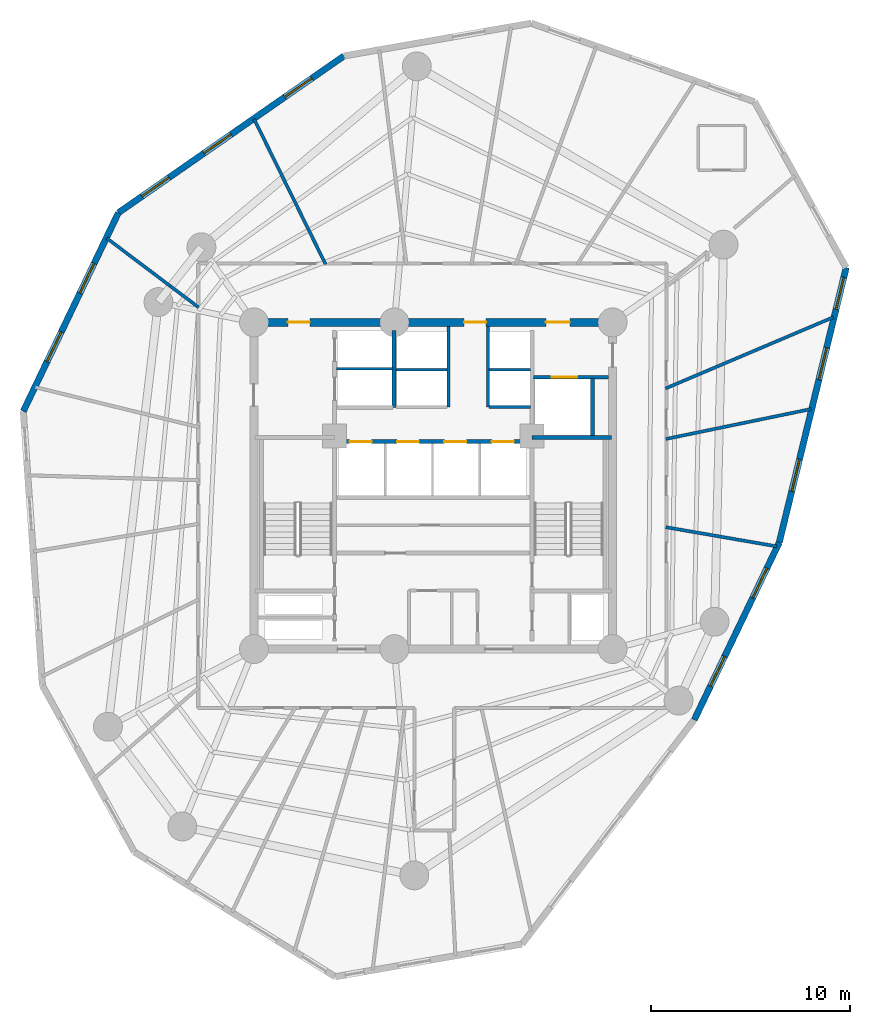
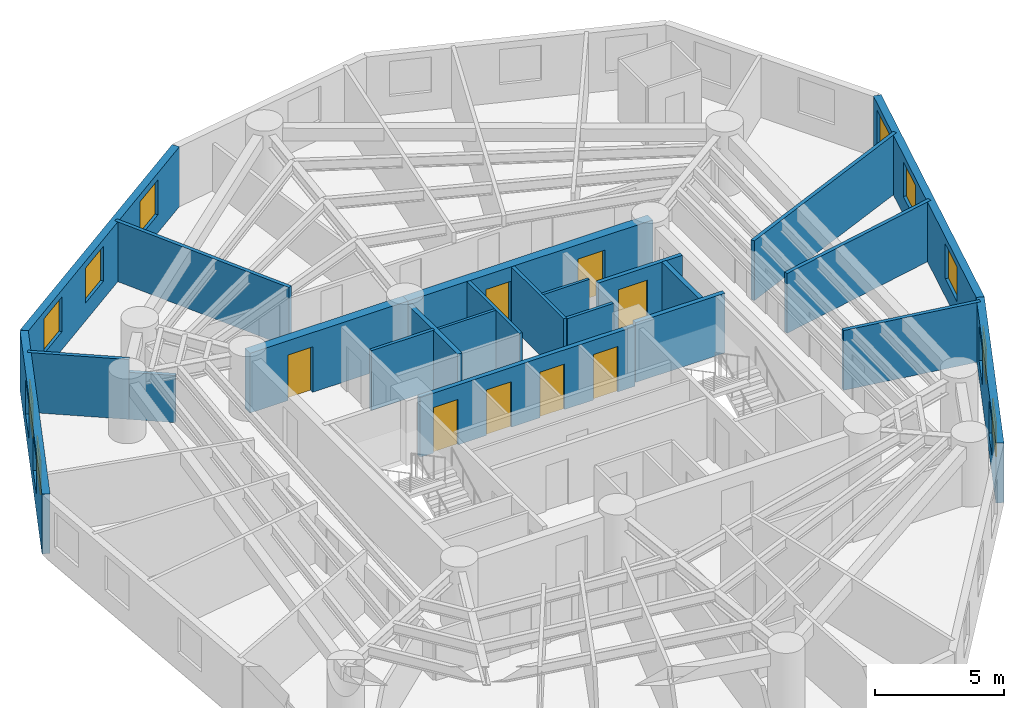
# One storey, part 5 of 7: 23 walls, 10 windows, 8 doors, 18 openings.
"""IFC4 building model written with IfcOpenShell, lengths in metres."""

from ifc_helpers import new_model, si_unit, direction, frame, frame_2d, origin, origin_with_axes, place, context, subcontext, project, spatial, rectangle, extrude, source, transform, mapped, material, layer, layer_set, type_object, element, fill, save


model = new_model("IFC4")

# Units and contexts
model_context = context("Model", 3, precision=1e-05, world=origin(), true_north=direction((0.0, 1.0)))
body_context = subcontext(model_context, "Body", "Model", "MODEL_VIEW")
ifc_project = project(units=[si_unit("LENGTHUNIT", "METRE"), si_unit("AREAUNIT", "SQUARE_METRE"), si_unit("VOLUMEUNIT", "CUBIC_METRE"), si_unit("PLANEANGLEUNIT", "RADIAN"), si_unit("MASSUNIT", "GRAM", prefix="KILO")], contexts=[model_context])

# Site, building, storey
site_placement = place(None, origin())
site = spatial("IfcSite", under=ifc_project, at=site_placement, CompositionType="ELEMENT")
building_placement = place(site_placement, origin())
building = spatial("IfcBuilding", under=site, at=building_placement, Name="Karkom Vertical University and Central Library", CompositionType="ELEMENT")
storey_placement = place(building_placement, frame((0.0, 0.0, 123.64990234375)))
storey = spatial("IfcBuildingStorey", under=building, at=storey_placement, Name="L34", CompositionType="ELEMENT", Elevation=123.64990234375)

# Wall, openings, windows
ifc_material_1 = material(Name="Brick-faced precast concrete C45/55", Category="masonry")
ifc_layer_1 = layer(ifc_material_1, 0.320068359375)
ifc_layer_set_1 = layer_set([ifc_layer_1], Name="Brick-faced precast concrete C45/55")
wall_type_1 = type_object("IfcWallType", Name="ENV-WL-BRK-320", PredefinedType="SOLIDWALL", material=ifc_layer_set_1)
wall_1_placement = place(storey_placement, frame((12.693603515625, 40.202392578125, 0.0), z_axis=(0.0, 0.0, 1.0), x_axis=(-0.432097729805, -0.901826785972, 0.0)))
wall_1 = element("IfcWall", 1, at=wall_1_placement, inside=storey, type_object=wall_type_1, Name="Level 34 Brick-Faced Precast Facade Wall 01", PredefinedType="SOLIDWALL", context=body_context, shape_type="SweptSolid", body=[
    extrude(rectangle(XDim=11.054931640625, YDim=0.320068359375, at=frame_2d((5.52734375, 0.0))), origin(), (0.0, 0.0, 1.0), 2.8251953125),
])
opening_1_placement = place(wall_1_placement, frame((2.815185546875, 0.0, 0.85009765625)))
opening_1 = element("IfcOpeningElement", 2, at=opening_1_placement, cuts=wall_1, Name="Opening WN-06", PredefinedType="OPENING", context=body_context, shape_type="SweptSolid", body=[
    extrude(rectangle(XDim=1.64990234375, YDim=1.64990234375, at=frame_2d((0.824951171875, 0.824951171875))), frame((0.0, 0.169921875, 0.0), z_axis=(0.0, -1.0, 0.0), x_axis=(1.0, 0.0, 0.0)), (0.0, 0.0, 1.0), 0.340087890625),
])
opening_2_placement = place(wall_1_placement, frame((6.635009765625, 0.0, 0.85009765625)))
opening_2 = element("IfcOpeningElement", 3, at=opening_2_placement, cuts=wall_1, Name="Opening WN-06", PredefinedType="OPENING", context=body_context, shape_type="SweptSolid", body=[
    extrude(rectangle(XDim=1.64990234375, YDim=1.64990234375, at=frame_2d((0.824951171875, 0.824951171875))), frame((0.0, 0.169921875, 0.0), z_axis=(0.0, -1.0, 0.0), x_axis=(1.0, 0.0, 0.0)), (0.0, 0.0, 1.0), 0.340087890625),
])
ifc_material_2 = material(Name="Aluminium thermal-break frame with solar-control IGU", Category="aluminium")
window_type = type_object("IfcWindowType", Name="ENV-WIN-WN-06", PartitioningType="SINGLE_PANEL", PredefinedType="WINDOW", material=ifc_material_2)
shared_shape_1 = source(origin_with_axes(), body_context, "Body", "SweptSolid", [
    extrude(rectangle(XDim=1.64990234375, YDim=1.64990234375, at=frame_2d((0.824951171875, 0.824951171875))), frame((0.0, 0.030029296875, 0.0), z_axis=(0.0, -1.0, 0.0), x_axis=(1.0, 0.0, 0.0)), (0.0, 0.0, 1.0), 0.06005859375),
])
window_1_placement = place(opening_1_placement, origin())
window_1 = element("IfcWindow", 4, at=window_1_placement, inside=storey, type_object=window_type, Name="Level 34 Punched Window 1.1", OverallHeight=1.64990234375, OverallWidth=1.64990234375, PartitioningType="SINGLE_PANEL", PredefinedType="WINDOW", context=body_context, shape_type="MappedRepresentation", body=[
    mapped(shared_shape_1, transform((0.0, 0.0, 0.0), scale=1.0)),
])
fill(opening_1, window_1)
window_2_placement = place(opening_2_placement, origin())
window_2 = element("IfcWindow", 5, at=window_2_placement, inside=storey, type_object=window_type, Name="Level 34 Punched Window 1.2", OverallHeight=1.64990234375, OverallWidth=1.64990234375, PartitioningType="SINGLE_PANEL", PredefinedType="WINDOW", context=body_context, shape_type="MappedRepresentation", body=[
    mapped(shared_shape_1, transform((0.0, 0.0, 0.0), scale=1.0)),
])
fill(opening_2, window_2)

wall_2_placement = place(storey_placement, frame((41.6025390625, 14.75, 0.0), z_axis=(0.0, 0.0, 1.0), x_axis=(0.432081203799, 0.901834703991, 0.0)))
wall_2 = element("IfcWall", 6, at=wall_2_placement, inside=storey, type_object=wall_type_1, Name="Level 34 Brick-Faced Precast Facade Wall 07", PredefinedType="SOLIDWALL", context=body_context, shape_type="SweptSolid", body=[
    extrude(rectangle(XDim=9.8701171875, YDim=0.320068359375, at=frame_2d((4.93505859375, 0.0))), origin(), (0.0, 0.0, 1.0), 2.8251953125),
])
opening_3_placement = place(wall_2_placement, frame((1.87744140625, 0.0, 0.85009765625)))
opening_3 = element("IfcOpeningElement", 7, at=opening_3_placement, cuts=wall_2, Name="Opening WN-06", PredefinedType="OPENING", context=body_context, shape_type="SweptSolid", body=[
    extrude(rectangle(XDim=1.64990234375, YDim=1.64990234375, at=frame_2d((0.824951171875, 0.824951171875))), frame((0.0, 0.169921875, 0.0), z_axis=(0.0, -1.0, 0.0), x_axis=(1.0, 0.0, 0.0)), (0.0, 0.0, 1.0), 0.340087890625),
])
opening_4_placement = place(wall_2_placement, frame((6.783935546875, 0.0, 0.85009765625)))
opening_4 = element("IfcOpeningElement", 8, at=opening_4_placement, cuts=wall_2, Name="Opening WN-06", PredefinedType="OPENING", context=body_context, shape_type="SweptSolid", body=[
    extrude(rectangle(XDim=1.64990234375, YDim=1.64990234375, at=frame_2d((0.824951171875, 0.824951171875))), frame((0.0, 0.169921875, 0.0), z_axis=(0.0, -1.0, 0.0), x_axis=(1.0, 0.0, 0.0)), (0.0, 0.0, 1.0), 0.340087890625),
])
window_3_placement = place(opening_3_placement, origin())
window_3 = element("IfcWindow", 9, at=window_3_placement, inside=storey, type_object=window_type, Name="Level 34 Punched Window 7.1", OverallHeight=1.64990234375, OverallWidth=1.64990234375, PartitioningType="SINGLE_PANEL", PredefinedType="WINDOW", context=body_context, shape_type="MappedRepresentation", body=[
    mapped(shared_shape_1, transform((0.0, 0.0, 0.0), scale=1.0)),
])
fill(opening_3, window_3)
window_4_placement = place(opening_4_placement, origin())
window_4 = element("IfcWindow", 10, at=window_4_placement, inside=storey, type_object=window_type, Name="Level 34 Punched Window 7.2", OverallHeight=1.64990234375, OverallWidth=1.64990234375, PartitioningType="SINGLE_PANEL", PredefinedType="WINDOW", context=body_context, shape_type="MappedRepresentation", body=[
    mapped(shared_shape_1, transform((0.0, 0.0, 0.0), scale=1.0)),
])
fill(opening_4, window_4)

wall_3_placement = place(storey_placement, frame((45.8671875, 23.651123046875, 0.0), z_axis=(0.0, 0.0, 1.0), x_axis=(0.236563917857, 0.97161592863, 0.0)))
wall_3 = element("IfcWall", 11, at=wall_3_placement, inside=storey, type_object=wall_type_1, Name="Level 34 Brick-Faced Precast Facade Wall 08", PredefinedType="SOLIDWALL", context=body_context, shape_type="SweptSolid", body=[
    extrude(rectangle(XDim=14.19970703125, YDim=0.320068359375, at=frame_2d((7.099853515625, 0.0))), origin(), (0.0, 0.0, 1.0), 2.8251953125),
])
opening_5_placement = place(wall_3_placement, frame((2.640869140625, 0.0, 0.85009765625)))
opening_5 = element("IfcOpeningElement", 12, at=opening_5_placement, cuts=wall_3, Name="Opening WN-06", PredefinedType="OPENING", context=body_context, shape_type="SweptSolid", body=[
    extrude(rectangle(XDim=1.64990234375, YDim=1.64990234375, at=frame_2d((0.824951171875, 0.824951171875))), frame((0.0, 0.169921875, 0.0), z_axis=(0.0, -1.0, 0.0), x_axis=(1.0, 0.0, 0.0)), (0.0, 0.0, 1.0), 0.340087890625),
])
opening_6_placement = place(wall_3_placement, frame((8.414794921875, 0.0, 0.85009765625)))
opening_6 = element("IfcOpeningElement", 13, at=opening_6_placement, cuts=wall_3, Name="Opening WN-06", PredefinedType="OPENING", context=body_context, shape_type="SweptSolid", body=[
    extrude(rectangle(XDim=1.64990234375, YDim=1.64990234375, at=frame_2d((0.824951171875, 0.824951171875))), frame((0.0, 0.169921875, 0.0), z_axis=(0.0, -1.0, 0.0), x_axis=(1.0, 0.0, 0.0)), (0.0, 0.0, 1.0), 0.340087890625),
])
opening_7_placement = place(wall_3_placement, frame((12.048583984375, 0.0, 0.85009765625)))
opening_7 = element("IfcOpeningElement", 14, at=opening_7_placement, cuts=wall_3, Name="Opening WN-06", PredefinedType="OPENING", context=body_context, shape_type="SweptSolid", body=[
    extrude(rectangle(XDim=1.64990234375, YDim=1.64990234375, at=frame_2d((0.824951171875, 0.824951171875))), frame((0.0, 0.169921875, 0.0), z_axis=(0.0, -1.0, 0.0), x_axis=(1.0, 0.0, 0.0)), (0.0, 0.0, 1.0), 0.340087890625),
])
window_5_placement = place(opening_5_placement, origin())
window_5 = element("IfcWindow", 15, at=window_5_placement, inside=storey, type_object=window_type, Name="Level 34 Punched Window 8.1", OverallHeight=1.64990234375, OverallWidth=1.64990234375, PartitioningType="SINGLE_PANEL", PredefinedType="WINDOW", context=body_context, shape_type="MappedRepresentation", body=[
    mapped(shared_shape_1, transform((0.0, 0.0, 0.0), scale=1.0)),
])
fill(opening_5, window_5)
window_6_placement = place(opening_6_placement, origin())
window_6 = element("IfcWindow", 16, at=window_6_placement, inside=storey, type_object=window_type, Name="Level 34 Punched Window 8.2", OverallHeight=1.64990234375, OverallWidth=1.64990234375, PartitioningType="SINGLE_PANEL", PredefinedType="WINDOW", context=body_context, shape_type="MappedRepresentation", body=[
    mapped(shared_shape_1, transform((0.0, 0.0, 0.0), scale=1.0)),
])
fill(opening_6, window_6)
window_7_placement = place(opening_7_placement, origin())
window_7 = element("IfcWindow", 17, at=window_7_placement, inside=storey, type_object=window_type, Name="Level 34 Punched Window 8.3", OverallHeight=1.64990234375, OverallWidth=1.64990234375, PartitioningType="SINGLE_PANEL", PredefinedType="WINDOW", context=body_context, shape_type="MappedRepresentation", body=[
    mapped(shared_shape_1, transform((0.0, 0.0, 0.0), scale=1.0)),
])
fill(opening_7, window_7)

wall_4_placement = place(storey_placement, frame((24.020751953125, 48.077392578125, 0.0), z_axis=(0.0, 0.0, 1.0), x_axis=(-0.821066763307, -0.570832173404, 0.0)))
wall_4 = element("IfcWall", 18, at=wall_4_placement, inside=storey, type_object=wall_type_1, Name="Level 34 Brick-Faced Precast Facade Wall 12", PredefinedType="SOLIDWALL", context=body_context, shape_type="SweptSolid", body=[
    extrude(rectangle(XDim=13.795654296875, YDim=0.320068359375, at=frame_2d((6.89794921875, 0.0))), origin(), (0.0, 0.0, 1.0), 2.8251953125),
])
opening_8_placement = place(wall_4_placement, frame((1.9658203125, 0.0, 0.85009765625)))
opening_8 = element("IfcOpeningElement", 19, at=opening_8_placement, cuts=wall_4, Name="Opening WN-06", PredefinedType="OPENING", context=body_context, shape_type="SweptSolid", body=[
    extrude(rectangle(XDim=1.64990234375, YDim=1.64990234375, at=frame_2d((0.824951171875, 0.824951171875))), frame((0.0, 0.169921875, 0.0), z_axis=(0.0, -1.0, 0.0), x_axis=(1.0, 0.0, 0.0)), (0.0, 0.0, 1.0), 0.340087890625),
])
opening_9_placement = place(wall_4_placement, frame((6.910400390625, 0.0, 0.85009765625)))
opening_9 = element("IfcOpeningElement", 20, at=opening_9_placement, cuts=wall_4, Name="Opening WN-06", PredefinedType="OPENING", context=body_context, shape_type="SweptSolid", body=[
    extrude(rectangle(XDim=1.64990234375, YDim=1.64990234375, at=frame_2d((0.824951171875, 0.824951171875))), frame((0.0, 0.169921875, 0.0), z_axis=(0.0, -1.0, 0.0), x_axis=(1.0, 0.0, 0.0)), (0.0, 0.0, 1.0), 0.340087890625),
])
opening_10_placement = place(wall_4_placement, frame((10.697265625, 0.0, 0.85009765625)))
opening_10 = element("IfcOpeningElement", 21, at=opening_10_placement, cuts=wall_4, Name="Opening WN-06", PredefinedType="OPENING", context=body_context, shape_type="SweptSolid", body=[
    extrude(rectangle(XDim=1.64990234375, YDim=1.64990234375, at=frame_2d((0.824951171875, 0.824951171875))), frame((0.0, 0.169921875, 0.0), z_axis=(0.0, -1.0, 0.0), x_axis=(1.0, 0.0, 0.0)), (0.0, 0.0, 1.0), 0.340087890625),
])
window_8_placement = place(opening_8_placement, origin())
window_8 = element("IfcWindow", 22, at=window_8_placement, inside=storey, type_object=window_type, Name="Level 34 Punched Window 12.1", OverallHeight=1.64990234375, OverallWidth=1.64990234375, PartitioningType="SINGLE_PANEL", PredefinedType="WINDOW", context=body_context, shape_type="MappedRepresentation", body=[
    mapped(shared_shape_1, transform((0.0, 0.0, 0.0), scale=1.0)),
])
fill(opening_8, window_8)
window_9_placement = place(opening_9_placement, origin())
window_9 = element("IfcWindow", 23, at=window_9_placement, inside=storey, type_object=window_type, Name="Level 34 Punched Window 12.2", OverallHeight=1.64990234375, OverallWidth=1.64990234375, PartitioningType="SINGLE_PANEL", PredefinedType="WINDOW", context=body_context, shape_type="MappedRepresentation", body=[
    mapped(shared_shape_1, transform((0.0, 0.0, 0.0), scale=1.0)),
])
fill(opening_9, window_9)
window_10_placement = place(opening_10_placement, origin())
window_10 = element("IfcWindow", 24, at=window_10_placement, inside=storey, type_object=window_type, Name="Level 34 Punched Window 12.3", OverallHeight=1.64990234375, OverallWidth=1.64990234375, PartitioningType="SINGLE_PANEL", PredefinedType="WINDOW", context=body_context, shape_type="MappedRepresentation", body=[
    mapped(shared_shape_1, transform((0.0, 0.0, 0.0), scale=1.0)),
])
fill(opening_10, window_10)

# Walls
ifc_material_3 = material(Name="Insulated metal-stud drywall 160mm", Category="gypsum")
ifc_layer_2 = layer(ifc_material_3, 0.159912109375)
ifc_layer_set_2 = layer_set([ifc_layer_2], Name="Insulated metal-stud drywall 160mm")
wall_type_2 = type_object("IfcWallType", Name="INT-WL-COR-160", PredefinedType="PARTITIONING", material=ifc_layer_set_2)
wall_5_placement = place(storey_placement, frame((40.15869140625, 31.383544921875, 0.0), z_axis=(0.0, 0.0, 1.0), x_axis=(0.920504437764, 0.390732107789, 0.0)))
element("IfcWall", 25, at=wall_5_placement, inside=storey, type_object=wall_type_2, Name="Level 34 Interior Partition Wall L34-PW-013", PredefinedType="PARTITIONING", context=body_context, shape_type="SweptSolid", body=[
    extrude(rectangle(XDim=9.14990234375, YDim=0.159912109375, at=frame_2d((4.574951171875, 0.0))), origin(), (0.0, 0.0, 1.0), 2.8251953125),
])
wall_6_placement = place(storey_placement, frame((23.091552734375, 37.623046875, 0.0), z_axis=(0.0, 0.0, 1.0), x_axis=(-0.441623698669, 0.897200372701, 0.0)))
element("IfcWall", 26, at=wall_6_placement, inside=storey, type_object=wall_type_2, Name="Level 34 Interior Partition Wall L34-PW-021", PredefinedType="PARTITIONING", context=body_context, shape_type="SweptSolid", body=[
    extrude(rectangle(XDim=8.118896484375, YDim=0.159912109375, at=frame_2d((4.0595703125, 0.0))), origin(), (0.0, 0.0, 1.0), 2.8251953125),
])
wall_7_placement = place(storey_placement, frame((40.170654296875, 28.845458984375, 0.0), z_axis=(0.0, 0.0, 1.0), x_axis=(0.979393402189, 0.201961787842, 0.0)))
element("IfcWall", 27, at=wall_7_placement, inside=storey, type_object=wall_type_2, Name="Level 34 Interior Partition Wall L34-PW-012", PredefinedType="PARTITIONING", context=body_context, shape_type="SweptSolid", body=[
    extrude(rectangle(XDim=7.448974609375, YDim=0.159912109375, at=frame_2d((3.724609375, 0.0))), origin(), (0.0, 0.0, 1.0), 2.8251953125),
])
wall_8_placement = place(storey_placement, frame((40.17041015625, 24.41943359375, 0.0), z_axis=(0.0, 0.0, 1.0), x_axis=(0.985353993347, -0.170521282529, 0.0)))
element("IfcWall", 28, at=wall_8_placement, inside=storey, type_object=wall_type_2, Name="Level 34 Interior Partition Wall L34-PW-011", PredefinedType="PARTITIONING", context=body_context, shape_type="SweptSolid", body=[
    extrude(rectangle(XDim=5.6552734375, YDim=0.159912109375, at=frame_2d((2.82763671875, 0.0))), origin(), (0.0, 0.0, 1.0), 2.8251953125),
])
wall_9_placement = place(storey_placement, frame((15.27734375, 36.5390625, 0.0), z_axis=(0.0, 0.0, 1.0), x_axis=(-0.798645855247, 0.601801294363, 0.0)))
element("IfcWall", 29, at=wall_9_placement, inside=storey, type_object=wall_type_2, Name="Level 34 Interior Partition Wall L34-PW-023", PredefinedType="PARTITIONING", context=body_context, shape_type="SweptSolid", body=[
    extrude(rectangle(XDim=3.965087890625, YDim=0.159912109375, at=frame_2d((1.982421875, 0.0))), origin(), (0.0, 0.0, 1.0), 2.8251953125),
])
wall_10_placement = place(storey_placement, frame((16.72412109375, 35.448974609375, 0.0), z_axis=(0.0, 0.0, 1.0), x_axis=(-0.798733223163, 0.601685331561, 0.0)))
element("IfcWall", 30, at=wall_10_placement, inside=storey, type_object=wall_type_2, Name="Level 34 Interior Partition Wall L34-PW-022", PredefinedType="PARTITIONING", context=body_context, shape_type="SweptSolid", body=[
    extrude(rectangle(XDim=1.806396484375, YDim=0.159912109375, at=frame_2d((0.9033203125, 0.0))), origin(), (0.0, 0.0, 1.0), 2.22509765625),
])
ifc_material_4 = material(Name="Moisture-resistant drywall 120mm", Category="gypsum")
ifc_layer_3 = layer(ifc_material_4, 0.1201171875)
ifc_layer_set_3 = layer_set([ifc_layer_3], Name="Moisture-resistant drywall 120mm")
wall_type_3 = type_object("IfcWallType", Name="INT-WL-INT-120H", PredefinedType="PARTITIONING", material=ifc_layer_set_3)
wall_11_placement = place(storey_placement, frame((26.6201171875, 32.320068359375, 0.0), z_axis=(0.0, 0.0, 1.0), x_axis=(1.0, 0.0, 0.0)))
element("IfcWall", 31, at=wall_11_placement, inside=storey, type_object=wall_type_3, Name="Level 34 Interior Partition Wall L34-CW-PH-MW", PredefinedType="PARTITIONING", context=body_context, shape_type="SweptSolid", body=[
    extrude(rectangle(XDim=2.579833984375, YDim=0.1201171875, at=frame_2d((1.2900390625, 0.0))), origin(), (0.0, 0.0, 1.0), 2.8251953125),
])
wall_12_placement = place(storey_placement, frame((31.300048828125, 32.320068359375, 0.0), z_axis=(0.0, 0.0, 1.0), x_axis=(1.0, 0.0, 0.0)))
element("IfcWall", 32, at=wall_12_placement, inside=storey, type_object=wall_type_3, Name="Level 34 Interior Partition Wall L34-CW-PH-ME", PredefinedType="PARTITIONING", context=body_context, shape_type="SweptSolid", body=[
    extrude(rectangle(XDim=2.074951171875, YDim=0.1201171875, at=frame_2d((1.03759765625, 0.0))), origin(), (0.0, 0.0, 1.0), 2.8251953125),
])
ifc_material_5 = material(Name="Metal-stud gypsum partition 140mm", Category="gypsum")
ifc_layer_4 = layer(ifc_material_5, 0.139892578125)
ifc_layer_set_4 = layer_set([ifc_layer_4], Name="Metal-stud gypsum partition 140mm")
wall_type_4 = type_object("IfcWallType", Name="INT-WL-SUB-140H", PredefinedType="PARTITIONING", material=ifc_layer_set_4)
for number, where, z_axis, x_axis, name in (
    (33, (29.260009765625, 30.449951171875, 0.0), (0.0, 0.0, 1.0), (0.0, 1.0, 0.0), "Level 34 Interior Partition Wall L34-CW-PH-W"),
    (34, (31.239990234375, 30.449951171875, 0.0), (0.0, 0.0, 1.0), (0.0, 1.0, 0.0), "Level 34 Interior Partition Wall L34-CW-PH-E"),
):
    element("IfcWall", number, at=place(storey_placement, frame(where, z_axis=z_axis, x_axis=x_axis)), inside=storey, type_object=wall_type_4, Name=name, PredefinedType="PARTITIONING", context=body_context, shape_type="SweptSolid", body=[
        extrude(rectangle(XDim=4.04296875, YDim=0.139892578125, at=frame_2d((2.021484375, 0.0))), origin(), (0.0, 0.0, 1.0), 2.8251953125),
    ])
wall_13_placement = place(storey_placement, frame((31.300048828125, 30.449951171875, 0.0), z_axis=(0.0, 0.0, 1.0), x_axis=(1.0, 0.0, 0.0)))
element("IfcWall", 35, at=wall_13_placement, inside=storey, type_object=wall_type_4, Name="Level 34 Interior Partition Wall L34-CW-PH-S2", PredefinedType="PARTITIONING", context=body_context, shape_type="SweptSolid", body=[
    extrude(rectangle(XDim=2.074951171875, YDim=0.139892578125, at=frame_2d((1.03759765625, 0.0))), origin(), (0.0, 0.0, 1.0), 2.8251953125),
])
ifc_layer_5 = layer(ifc_material_5, 0.139892578125)
ifc_layer_set_5 = layer_set([ifc_layer_5], Name="Metal-stud gypsum partition 140mm")
wall_type_5 = type_object("IfcWallType", Name="INT-WL-SUB-140X", PredefinedType="PARTITIONING", material=ifc_layer_set_5)
wall_14_placement = place(storey_placement, frame((23.652099609375, 32.3701171875, 0.0), z_axis=(0.0, 0.0, 1.0), x_axis=(1.0, 0.0, 0.0)))
element("IfcWall", 36, at=wall_14_placement, inside=storey, type_object=wall_type_5, Name="Level 34 Interior Partition Wall L34-CW-FFL-M", PredefinedType="PARTITIONING", context=body_context, shape_type="SweptSolid", body=[
    extrude(rectangle(XDim=2.827880859375, YDim=0.139892578125, at=frame_2d((1.4140625, 0.0))), origin(), (0.0, 0.0, 1.0), 2.8251953125),
])

# Wall, opening, door
ifc_material_6 = material(Name="Twin-stud acoustic drywall 180mm", Category="gypsum")
ifc_layer_6 = layer(ifc_material_6, 0.179931640625)
ifc_layer_set_6 = layer_set([ifc_layer_6], Name="Twin-stud acoustic drywall 180mm")
wall_type_6 = type_object("IfcWallType", Name="INT-WL-TEN-180F", PredefinedType="PARTITIONING", material=ifc_layer_set_6)
wall_15_placement = place(storey_placement, frame((33.534912109375, 31.949951171875, 0.0), z_axis=(0.0, 0.0, 1.0), x_axis=(1.0, 0.0, 0.0)))
wall_15 = element("IfcWall", 37, at=wall_15_placement, inside=storey, type_object=wall_type_6, Name="Level 34 Interior Partition Wall L34-CW-SVL-N", PredefinedType="PARTITIONING", context=body_context, shape_type="SweptSolid", body=[
    extrude(rectangle(XDim=3.7587890625, YDim=0.179931640625, at=frame_2d((1.87939453125, 0.0))), origin(), (0.0, 0.0, 1.0), 2.8251953125),
])
opening_11_placement = place(wall_15_placement, frame((0.89990234375, 0.0, 0.0)))
opening_11 = element("IfcOpeningElement", 38, at=opening_11_placement, cuts=wall_15, Name="Opening LD-SV1", PredefinedType="OPENING", context=body_context, shape_type="SweptSolid", body=[
    extrude(rectangle(XDim=1.300048828125, YDim=2.199951171875, at=frame_2d((0.64990234375, 1.10009765625))), frame((0.0, 0.10009765625, 0.0), z_axis=(0.0, -1.0, 0.0), x_axis=(1.0, 0.0, 0.0)), (0.0, 0.0, 1.0), 0.199951171875),
])
ifc_material_7 = material(Name="Brushed stainless-steel landing door", Category="steel")
door_type_1 = type_object("IfcDoorType", Name="INT-DR-LD-SV1", OperationType="SLIDING_TO_LEFT", PredefinedType="DOOR", material=ifc_material_7)
shared_shape_2 = source(origin_with_axes(), body_context, "Body", "SweptSolid", [
    extrude(rectangle(XDim=1.300048828125, YDim=2.199951171875, at=frame_2d((0.64990234375, 1.10009765625))), frame((0.0, 0.02490234375, 0.0), z_axis=(0.0, -1.0, 0.0), x_axis=(1.0, 0.0, 0.0)), (0.0, 0.0, 1.0), 0.050048828125),
])
door_1_placement = place(opening_11_placement, origin())
door_1 = element("IfcDoor", 39, at=door_1_placement, inside=storey, type_object=door_type_1, Name="Level 34 Service Lift Landing Door LD-SV1", OperationType="SLIDING_TO_LEFT", OverallHeight=2.199951171875, OverallWidth=1.300048828125, PredefinedType="DOOR", context=body_context, shape_type="MappedRepresentation", body=[
    mapped(shared_shape_2, transform((0.0, 0.0, 0.0), scale=1.0)),
])
fill(opening_11, door_1)

# Wall, openings, doors
ifc_material_8 = material(Name="Concrete C50/60", Category="concrete")
ifc_layer_7 = layer(ifc_material_8, 0.39990234375)
ifc_layer_set_7 = layer_set([ifc_layer_7], Name="Concrete C50/60")
wall_type_7 = type_object("IfcWallType", Name="STR-WL-CW-400", PredefinedType="SHEAR", material=ifc_layer_set_7)
wall_16_placement = place(storey_placement, frame((37.5, 34.699951171875, 0.0), z_axis=(0.0, 0.0, 1.0), x_axis=(-1.0, 0.0, 0.0)))
wall_16 = element("IfcWall", 40, at=wall_16_placement, inside=storey, type_object=wall_type_7, Name="Level 34 Central Core Shear Wall NW1", PredefinedType="SHEAR", context=body_context, shape_type="SweptSolid", body=[
    extrude(rectangle(XDim=10.949951171875, YDim=0.39990234375, at=frame_2d((5.47509765625, 0.0))), origin(), (0.0, 0.0, 1.0), 2.8251953125),
])
opening_12_placement = place(wall_16_placement, frame((2.14990234375, 0.0, 0.0)))
opening_12 = element("IfcOpeningElement", 41, at=opening_12_placement, cuts=wall_16, Name="Opening FD-SUB1", PredefinedType="OPENING", context=body_context, shape_type="SweptSolid", body=[
    extrude(rectangle(XDim=1.199951171875, YDim=2.14990234375, at=frame_2d((0.60009765625, 1.074951171875))), frame((0.0, 0.2099609375, 0.0), z_axis=(0.0, -1.0, 0.0), x_axis=(1.0, 0.0, 0.0)), (0.0, 0.0, 1.0), 0.419921875),
])
opening_13_placement = place(wall_16_placement, frame((6.35009765625, 0.0, 0.0)))
opening_13 = element("IfcOpeningElement", 42, at=opening_13_placement, cuts=wall_16, Name="Opening FD-FFL", PredefinedType="OPENING", context=body_context, shape_type="SweptSolid", body=[
    extrude(rectangle(XDim=1.10009765625, YDim=2.14990234375, at=frame_2d((0.550048828125, 1.074951171875))), frame((0.0, 0.2099609375, 0.0), z_axis=(0.0, -1.0, 0.0), x_axis=(1.0, 0.0, 0.0)), (0.0, 0.0, 1.0), 0.419921875),
])
ifc_material_9 = material(Name="Painted steel smoke-seal fire door", Category="steel")
door_type_2 = type_object("IfcDoorType", Name="INT-DR-FFL", OperationType="NOTDEFINED", PredefinedType="DOOR", material=ifc_material_9)
shared_shape_3 = source(origin_with_axes(), body_context, "Body", "SweptSolid", [
    extrude(rectangle(XDim=1.10009765625, YDim=2.14990234375, at=frame_2d((0.550048828125, 1.074951171875))), frame((0.0, 0.02490234375, 0.0), z_axis=(0.0, -1.0, 0.0), x_axis=(1.0, 0.0, 0.0)), (0.0, 0.0, 1.0), 0.050048828125),
])
door_2_placement = place(opening_13_placement, origin())
door_2 = element("IfcDoor", 43, at=door_2_placement, inside=storey, type_object=door_type_2, Name="Level 34 North Core Lobby Exit Door", OperationType="SINGLE_SWING_LEFT", OverallHeight=2.14990234375, OverallWidth=1.10009765625, PredefinedType="DOOR", context=body_context, shape_type="MappedRepresentation", body=[
    mapped(shared_shape_3, transform((0.0, 0.0, 0.0), scale=1.0)),
])
fill(opening_13, door_2)
ifc_material_10 = material(Name="Painted steel fire door", Category="steel")
door_type_3 = type_object("IfcDoorType", Name="INT-DR-SUB1", OperationType="NOTDEFINED", PredefinedType="DOOR", material=ifc_material_10)
shared_shape_4 = source(origin_with_axes(), body_context, "Body", "SweptSolid", [
    extrude(rectangle(XDim=1.199951171875, YDim=2.14990234375, at=frame_2d((0.60009765625, 1.074951171875))), frame((0.0, 0.02490234375, 0.0), z_axis=(0.0, -1.0, 0.0), x_axis=(1.0, 0.0, 0.0)), (0.0, 0.0, 1.0), 0.050048828125),
])
door_3_placement = place(opening_12_placement, origin())
door_3 = element("IfcDoor", 44, at=door_3_placement, inside=storey, type_object=door_type_3, Name="Level 34 Service Lobby Fire Door", OperationType="SINGLE_SWING_LEFT", OverallHeight=2.14990234375, OverallWidth=1.199951171875, PredefinedType="DOOR", context=body_context, shape_type="MappedRepresentation", body=[
    mapped(shared_shape_4, transform((0.0, 0.0, 0.0), scale=1.0)),
])
fill(opening_12, door_3)

# Wall, opening, door
wall_17_placement = place(storey_placement, frame((26.550048828125, 34.699951171875, 0.0), z_axis=(0.0, 0.0, 1.0), x_axis=(-1.0, 0.0, 0.0)))
wall_17 = element("IfcWall", 45, at=wall_17_placement, inside=storey, type_object=wall_type_7, Name="Level 34 Central Core Shear Wall NW2", PredefinedType="SHEAR", context=body_context, shape_type="SweptSolid", body=[
    extrude(rectangle(XDim=7.050048828125, YDim=0.39990234375, at=frame_2d((3.52490234375, 0.0))), origin(), (0.0, 0.0, 1.0), 2.8251953125),
])
opening_14_placement = place(wall_17_placement, frame((4.25, 0.0, 0.0)))
opening_14 = element("IfcOpeningElement", 46, at=opening_14_placement, cuts=wall_17, Name="Opening FD-FFL", PredefinedType="OPENING", context=body_context, shape_type="SweptSolid", body=[
    extrude(rectangle(XDim=1.10009765625, YDim=2.14990234375, at=frame_2d((0.550048828125, 1.074951171875))), frame((0.0, 0.2099609375, 0.0), z_axis=(0.0, -1.0, 0.0), x_axis=(1.0, 0.0, 0.0)), (0.0, 0.0, 1.0), 0.419921875),
])
door_4_placement = place(opening_14_placement, origin())
door_4 = element("IfcDoor", 47, at=door_4_placement, inside=storey, type_object=door_type_2, Name="Level 34 Firefighting Lobby Door", OperationType="SINGLE_SWING_RIGHT", OverallHeight=2.14990234375, OverallWidth=1.10009765625, PredefinedType="DOOR", context=body_context, shape_type="MappedRepresentation", body=[
    mapped(shared_shape_3, transform((0.0, 0.0, 0.0), scale=1.0)),
])
fill(opening_14, door_4)

# Wall, openings, doors
ifc_material_11 = material(Name="Concrete C45/55", Category="concrete")
ifc_layer_8 = layer(ifc_material_11, 0.199951171875)
ifc_layer_set_8 = layer_set([ifc_layer_8], Name="Concrete C45/55")
wall_type_8 = type_object("IfcWallType", Name="STR-WL-ST-200", PredefinedType="SHEAR", material=ifc_layer_set_8)
wall_18_placement = place(storey_placement, frame((23.699951171875, 28.719970703125, 0.0), z_axis=(0.0, 0.0, 1.0), x_axis=(1.0, 0.0, 0.0)))
wall_18 = element("IfcWall", 48, at=wall_18_placement, inside=storey, type_object=wall_type_8, Name="Level 34 Core Shaft Wall L34-CW-B2-N", PredefinedType="SHEAR", context=body_context, shape_type="SweptSolid", body=[
    extrude(rectangle(XDim=9.60009765625, YDim=0.199951171875, at=frame_2d((4.800048828125, 0.0))), origin(), (0.0, 0.0, 1.0), 2.8251953125),
])
opening_15_placement = place(wall_18_placement, frame((0.60009765625, 0.0, 0.0)))
opening_15 = element("IfcOpeningElement", 49, at=opening_15_placement, cuts=wall_18, Name="Opening LD-PAX", PredefinedType="OPENING", context=body_context, shape_type="SweptSolid", body=[
    extrude(rectangle(XDim=1.10009765625, YDim=2.14990234375, at=frame_2d((0.550048828125, 1.074951171875))), frame((0.0, 0.10986328125, 0.0), z_axis=(0.0, -1.0, 0.0), x_axis=(1.0, 0.0, 0.0)), (0.0, 0.0, 1.0), 0.219970703125),
])
opening_16_placement = place(wall_18_placement, frame((2.97998046875, 0.0, 0.0)))
opening_16 = element("IfcOpeningElement", 50, at=opening_16_placement, cuts=wall_18, Name="Opening LD-PAX", PredefinedType="OPENING", context=body_context, shape_type="SweptSolid", body=[
    extrude(rectangle(XDim=1.10009765625, YDim=2.14990234375, at=frame_2d((0.550048828125, 1.074951171875))), frame((0.0, 0.10986328125, 0.0), z_axis=(0.0, -1.0, 0.0), x_axis=(1.0, 0.0, 0.0)), (0.0, 0.0, 1.0), 0.219970703125),
])
opening_17_placement = place(wall_18_placement, frame((5.360107421875, 0.0, 0.0)))
opening_17 = element("IfcOpeningElement", 51, at=opening_17_placement, cuts=wall_18, Name="Opening LD-PAX", PredefinedType="OPENING", context=body_context, shape_type="SweptSolid", body=[
    extrude(rectangle(XDim=1.10009765625, YDim=2.14990234375, at=frame_2d((0.550048828125, 1.074951171875))), frame((0.0, 0.10986328125, 0.0), z_axis=(0.0, -1.0, 0.0), x_axis=(1.0, 0.0, 0.0)), (0.0, 0.0, 1.0), 0.219970703125),
])
opening_18_placement = place(wall_18_placement, frame((7.739990234375, 0.0, 0.0)))
opening_18 = element("IfcOpeningElement", 52, at=opening_18_placement, cuts=wall_18, Name="Opening LD-PAX", PredefinedType="OPENING", context=body_context, shape_type="SweptSolid", body=[
    extrude(rectangle(XDim=1.10009765625, YDim=2.14990234375, at=frame_2d((0.550048828125, 1.074951171875))), frame((0.0, 0.10986328125, 0.0), z_axis=(0.0, -1.0, 0.0), x_axis=(1.0, 0.0, 0.0)), (0.0, 0.0, 1.0), 0.219970703125),
])
door_type_4 = type_object("IfcDoorType", Name="INT-DR-LD-PAX", OperationType="SLIDING_TO_LEFT", PredefinedType="DOOR", material=ifc_material_7)
door_5_placement = place(opening_15_placement, origin())
door_5 = element("IfcDoor", 53, at=door_5_placement, inside=storey, type_object=door_type_4, Name="Level 34 Lift PM-1 Landing Door", OperationType="SLIDING_TO_LEFT", OverallHeight=2.14990234375, OverallWidth=1.10009765625, PredefinedType="DOOR", context=body_context, shape_type="MappedRepresentation", body=[
    mapped(shared_shape_3, transform((0.0, 0.0, 0.0), scale=1.0)),
])
fill(opening_15, door_5)
door_6_placement = place(opening_16_placement, origin())
door_6 = element("IfcDoor", 54, at=door_6_placement, inside=storey, type_object=door_type_4, Name="Level 34 Lift PM-2 Landing Door", OperationType="SLIDING_TO_RIGHT", OverallHeight=2.14990234375, OverallWidth=1.10009765625, PredefinedType="DOOR", context=body_context, shape_type="MappedRepresentation", body=[
    mapped(shared_shape_3, transform((0.0, 0.0, 0.0), scale=1.0)),
])
fill(opening_16, door_6)
door_7_placement = place(opening_17_placement, origin())
door_7 = element("IfcDoor", 55, at=door_7_placement, inside=storey, type_object=door_type_4, Name="Level 34 Lift PM-3 Landing Door", OperationType="SLIDING_TO_LEFT", OverallHeight=2.14990234375, OverallWidth=1.10009765625, PredefinedType="DOOR", context=body_context, shape_type="MappedRepresentation", body=[
    mapped(shared_shape_3, transform((0.0, 0.0, 0.0), scale=1.0)),
])
fill(opening_17, door_7)
door_8_placement = place(opening_18_placement, origin())
door_8 = element("IfcDoor", 56, at=door_8_placement, inside=storey, type_object=door_type_4, Name="Level 34 Lift PM-4 Landing Door", OperationType="SLIDING_TO_RIGHT", OverallHeight=2.14990234375, OverallWidth=1.10009765625, PredefinedType="DOOR", context=body_context, shape_type="MappedRepresentation", body=[
    mapped(shared_shape_3, transform((0.0, 0.0, 0.0), scale=1.0)),
])
fill(opening_18, door_8)

# Walls
wall_19_placement = place(storey_placement, frame((33.455078125, 28.925048828125, 0.0), z_axis=(0.0, 0.0, 1.0), x_axis=(1.0, 0.0, 0.0)))
element("IfcWall", 57, at=wall_19_placement, inside=storey, type_object=wall_type_8, Name="Level 34 Core Shaft Wall L34-CW-ST2-N", PredefinedType="SHEAR", context=body_context, shape_type="SweptSolid", body=[
    extrude(rectangle(XDim=3.994873046875, YDim=0.199951171875, at=frame_2d((1.99755859375, 0.0))), origin(), (0.0, 0.0, 1.0), 2.8251953125),
])
wall_20_placement = place(storey_placement, frame((26.52001953125, 30.419921875, 0.0), z_axis=(0.0, 0.0, 1.0), x_axis=(0.0, 1.0, 0.0)))
element("IfcWall", 58, at=wall_20_placement, inside=storey, type_object=wall_type_8, Name="Level 34 Core Shaft Wall L34-CW-FFL-E", PredefinedType="SHEAR", context=body_context, shape_type="SweptSolid", body=[
    extrude(rectangle(XDim=3.860107421875, YDim=0.199951171875, at=frame_2d((1.93017578125, 0.0))), origin(), (0.0, 0.0, 1.0), 2.8251953125),
])
wall_21_placement = place(storey_placement, frame((36.47998046875, 29.02001953125, 0.0), z_axis=(0.0, 0.0, 1.0), x_axis=(0.0, 1.0, 0.0)))
element("IfcWall", 59, at=wall_21_placement, inside=storey, type_object=wall_type_8, Name="Level 34 Core Shaft Wall L34-CW-SVL-E", PredefinedType="SHEAR", context=body_context, shape_type="SweptSolid", body=[
    extrude(rectangle(XDim=2.85986328125, YDim=0.199951171875, at=frame_2d((1.429931640625, 0.0))), origin(), (0.0, 0.0, 1.0), 2.8251953125),
])

save(model, "model.ifc")
